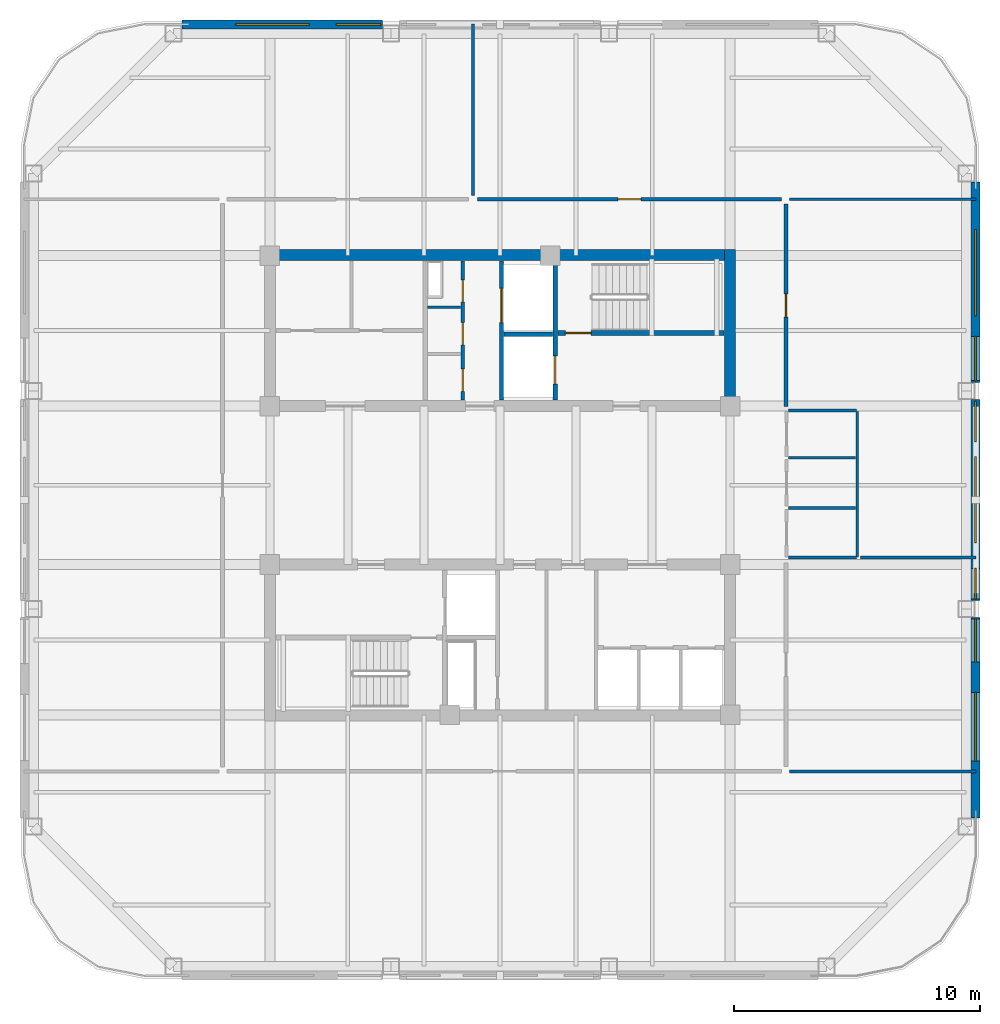
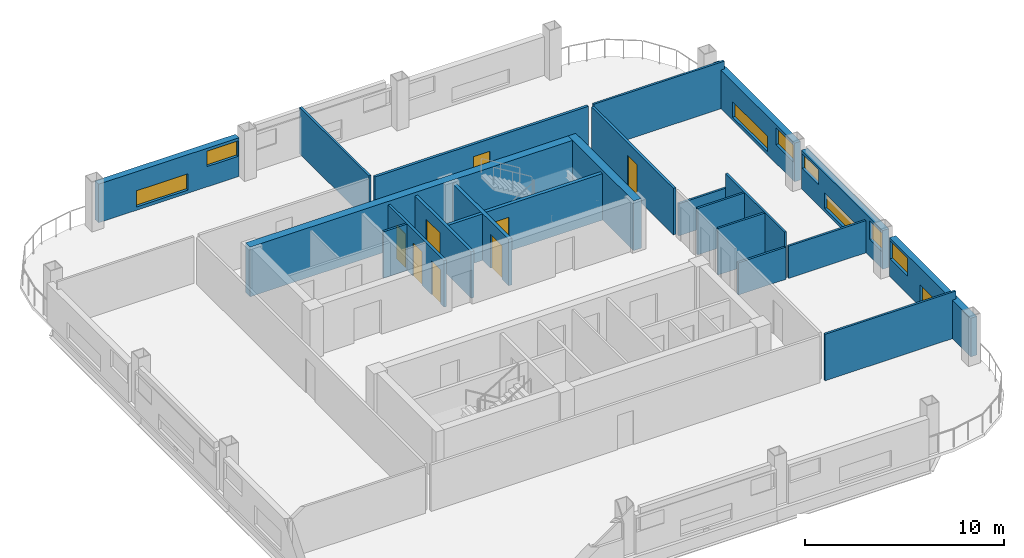
# One storey, part 4 of 8: 23 walls, 9 windows, 8 doors, 17 openings.
"""IFC4 building model written with IfcOpenShell, lengths in metres."""

from ifc_helpers import new_model, si_unit, direction, frame, frame_2d, origin, place, context, subcontext, project, spatial, rectangle, extrude, material, layer, layer_set, type_object, element, fill, save


model = new_model("IFC4")

# Units and contexts
model_context = context("Model", 3, precision=1e-05, world=origin(), true_north=direction((0.0, 1.0)))
body_context = subcontext(model_context, "Body", "Model", "MODEL_VIEW")
ifc_project = project(units=[si_unit("LENGTHUNIT", "METRE"), si_unit("AREAUNIT", "SQUARE_METRE"), si_unit("VOLUMEUNIT", "CUBIC_METRE"), si_unit("PLANEANGLEUNIT", "RADIAN"), si_unit("MASSUNIT", "GRAM", prefix="KILO")], contexts=[model_context])

# Site, building, storey
site_placement = place(None, origin())
site = spatial("IfcSite", under=ifc_project, at=site_placement, CompositionType="ELEMENT")
building_placement = place(site_placement, origin())
building = spatial("IfcBuilding", under=site, at=building_placement, Name="Qhalaya Broadcast Tower", CompositionType="ELEMENT")
storey_placement = place(building_placement, frame((0.0, 0.0, 202.550048828125)))
storey = spatial("IfcBuildingStorey", under=building, at=storey_placement, Name="L59", CompositionType="ELEMENT", Elevation=202.550048828125)

# Wall, openings, doors
ifc_material_1 = material(Name="Gypsum Acoustic Partition")
ifc_layer_1 = layer(ifc_material_1, 0.14990234375, Name="Gypsum Acoustic Partition")
ifc_layer_set_1 = layer_set([ifc_layer_1], Name="Gypsum Acoustic Partition")
wall_type_1 = type_object("IfcWallType", Name="Corridor & Tenancy Acoustic Partition 150", PredefinedType="PARTITIONING", material=ifc_layer_set_1)
wall_1_placement = place(storey_placement, frame((-1.52001953125, 4.070068359375, 0.0), z_axis=(0.0, 0.0, 1.0), x_axis=(0.0, 1.0, 0.0)))
wall_1 = element("IfcWall", 1, at=wall_1_placement, inside=storey, type_object=wall_type_1, Name="L59 Partition Wall NCW-SVL", PredefinedType="PARTITIONING", context=body_context, shape_type="SweptSolid", body=[
    extrude(rectangle(XDim=5.659912109375, YDim=0.14990234375, at=frame_2d((2.830078125, 0.0))), origin(), (0.0, 0.0, 1.0), 2.85986328125),
])
opening_1_placement = place(wall_1_placement, frame((4.0, 0.0, 0.0)))
opening_1 = element("IfcOpeningElement", 2, at=opening_1_placement, cuts=wall_1, Name="Opening D06", PredefinedType="OPENING", context=body_context, shape_type="SweptSolid", body=[
    extrude(rectangle(XDim=0.89990234375, YDim=2.050048828125, at=frame_2d((0.449951171875, 1.02490234375))), frame((0.0, 0.0869140625, 0.0), z_axis=(0.0, -1.0, 0.0), x_axis=(1.0, 0.0, 0.0)), (0.0, 0.0, 1.0), 0.173828125),
])
opening_2_placement = place(wall_1_placement, frame((2.25, 0.0, 0.0)))
opening_2 = element("IfcOpeningElement", 3, at=opening_2_placement, cuts=wall_1, Name="Opening D06", PredefinedType="OPENING", context=body_context, shape_type="SweptSolid", body=[
    extrude(rectangle(XDim=0.89990234375, YDim=2.050048828125, at=frame_2d((0.449951171875, 1.02490234375))), frame((0.0, 0.0869140625, 0.0), z_axis=(0.0, -1.0, 0.0), x_axis=(1.0, 0.0, 0.0)), (0.0, 0.0, 1.0), 0.173828125),
])
opening_3_placement = place(wall_1_placement, frame((0.35009765625, 0.0, 0.0)))
opening_3 = element("IfcOpeningElement", 4, at=opening_3_placement, cuts=wall_1, Name="Opening D12", PredefinedType="OPENING", context=body_context, shape_type="SweptSolid", body=[
    extrude(rectangle(XDim=0.919921875, YDim=2.10009765625, at=frame_2d((0.4599609375, 1.050048828125))), frame((0.0, 0.0869140625, 0.0), z_axis=(0.0, -1.0, 0.0), x_axis=(1.0, 0.0, 0.0)), (0.0, 0.0, 1.0), 0.173828125),
])
ifc_material_2 = material(Name="Timber Veneer Acoustic Door", Category="wood")
door_type_1 = type_object("IfcDoorType", Name="Accessible WC & Restroom Door D12", OperationType="NOTDEFINED", PredefinedType="DOOR", material=ifc_material_2)
door_1_placement = place(opening_3_placement, origin())
door_1 = element("IfcDoor", 5, at=door_1_placement, inside=storey, type_object=door_type_1, Name="L59 Door D-NCWC", OperationType="SINGLE_SWING_RIGHT", OverallHeight=2.10009765625, OverallWidth=0.919921875, PredefinedType="DOOR", context=body_context, shape_type="SweptSolid", body=[
    extrude(rectangle(XDim=0.919921875, YDim=2.10009765625, at=frame_2d((0.4599609375, 1.050048828125))), frame((0.0, 0.02490234375, 0.0), z_axis=(0.0, -1.0, 0.0), x_axis=(1.0, 0.0, 0.0)), (0.0, 0.0, 1.0), 0.050048828125),
])
fill(opening_3, door_1)
ifc_material_3 = material(Name="Fire-Rated Steel Door", Category="steel")
door_type_2 = type_object("IfcDoorType", Name="Riser & Electrical Shaft Access Door D06", OperationType="NOTDEFINED", PredefinedType="DOOR", material=ifc_material_3)
door_2_placement = place(opening_1_placement, origin())
door_2 = element("IfcDoor", 6, at=door_2_placement, inside=storey, type_object=door_type_2, Name="L59 Riser Shaft Access Door D-NRSR", OperationType="SINGLE_SWING_RIGHT", OverallHeight=2.050048828125, OverallWidth=0.89990234375, PredefinedType="DOOR", context=body_context, shape_type="SweptSolid", body=[
    extrude(rectangle(XDim=0.89990234375, YDim=2.050048828125, at=frame_2d((0.449951171875, 1.02490234375))), frame((0.0, 0.02490234375, 0.0), z_axis=(0.0, -1.0, 0.0), x_axis=(1.0, 0.0, 0.0)), (0.0, 0.0, 1.0), 0.050048828125),
])
fill(opening_1, door_2)
door_3_placement = place(opening_2_placement, origin())
door_3 = element("IfcDoor", 7, at=door_3_placement, inside=storey, type_object=door_type_2, Name="L59 Door D-NITR", OperationType="SINGLE_SWING_LEFT", OverallHeight=2.050048828125, OverallWidth=0.89990234375, PredefinedType="DOOR", context=body_context, shape_type="SweptSolid", body=[
    extrude(rectangle(XDim=0.89990234375, YDim=2.050048828125, at=frame_2d((0.449951171875, 1.02490234375))), frame((0.0, 0.02490234375, 0.0), z_axis=(0.0, -1.0, 0.0), x_axis=(1.0, 0.0, 0.0)), (0.0, 0.0, 1.0), 0.050048828125),
])
fill(opening_2, door_3)

# Wall, opening, door
wall_2_placement = place(storey_placement, frame((-0.919921875, 12.25, 0.0), z_axis=(0.0, 0.0, 1.0), x_axis=(1.0, 0.0, 0.0)))
wall_2 = element("IfcWall", 8, at=wall_2_placement, inside=storey, type_object=wall_type_1, Name="L59 Partition Wall W-COR-02", PredefinedType="PARTITIONING", context=body_context, shape_type="SweptSolid", body=[
    extrude(rectangle(XDim=12.389892578125, YDim=0.14990234375, at=frame_2d((6.19482421875, 0.0))), origin(), (0.0, 0.0, 1.0), 2.85986328125),
])
opening_4_placement = place(wall_2_placement, frame((5.719970703125, 0.0, 0.0)))
opening_4 = element("IfcOpeningElement", 9, at=opening_4_placement, cuts=wall_2, Name="Opening D10", PredefinedType="OPENING", context=body_context, shape_type="SweptSolid", body=[
    extrude(rectangle(XDim=0.949951171875, YDim=2.10009765625, at=frame_2d((0.47509765625, 1.050048828125))), frame((0.0, 0.0869140625, 0.0), z_axis=(0.0, -1.0, 0.0), x_axis=(1.0, 0.0, 0.0)), (0.0, 0.0, 1.0), 0.173828125),
])
door_type_3 = type_object("IfcDoorType", Name="Cellular Office & Edit Booth Door D10", OperationType="NOTDEFINED", PredefinedType="DOOR", material=ifc_material_2)
door_4_placement = place(opening_4_placement, origin())
door_4 = element("IfcDoor", 10, at=door_4_placement, inside=storey, type_object=door_type_3, Name="L59 Door D-RM02", OperationType="SINGLE_SWING_RIGHT", OverallHeight=2.10009765625, OverallWidth=0.949951171875, PredefinedType="DOOR", context=body_context, shape_type="SweptSolid", body=[
    extrude(rectangle(XDim=0.949951171875, YDim=2.10009765625, at=frame_2d((0.47509765625, 1.050048828125))), frame((0.0, 0.02490234375, 0.0), z_axis=(0.0, -1.0, 0.0), x_axis=(1.0, 0.0, 0.0)), (0.0, 0.0, 1.0), 0.050048828125),
])
fill(opening_4, door_4)

wall_3_placement = place(storey_placement, frame((11.64990234375, 3.800048828125, 0.0), z_axis=(0.0, 0.0, 1.0), x_axis=(0.0, 1.0, 0.0)))
wall_3 = element("IfcWall", 11, at=wall_3_placement, inside=storey, type_object=wall_type_1, Name="L59 Partition Wall W-COR-06", PredefinedType="PARTITIONING", context=body_context, shape_type="SweptSolid", body=[
    extrude(rectangle(XDim=8.25, YDim=0.14990234375, at=frame_2d((4.125, 0.0))), origin(), (0.0, 0.0, 1.0), 2.85986328125),
])
opening_5_placement = place(wall_3_placement, frame((3.64990234375, 0.0, 0.0)))
opening_5 = element("IfcOpeningElement", 12, at=opening_5_placement, cuts=wall_3, Name="Opening D10", PredefinedType="OPENING", context=body_context, shape_type="SweptSolid", body=[
    extrude(rectangle(XDim=0.949951171875, YDim=2.10009765625, at=frame_2d((0.47509765625, 1.050048828125))), frame((0.0, 0.0869140625, 0.0), z_axis=(0.0, -1.0, 0.0), x_axis=(1.0, 0.0, 0.0)), (0.0, 0.0, 1.0), 0.173828125),
])
door_5_placement = place(opening_5_placement, origin())
door_5 = element("IfcDoor", 13, at=door_5_placement, inside=storey, type_object=door_type_3, Name="L59 Door D-RM06", OperationType="SINGLE_SWING_RIGHT", OverallHeight=2.10009765625, OverallWidth=0.949951171875, PredefinedType="DOOR", context=body_context, shape_type="SweptSolid", body=[
    extrude(rectangle(XDim=0.949951171875, YDim=2.10009765625, at=frame_2d((0.47509765625, 1.050048828125))), frame((0.0, 0.02490234375, 0.0), z_axis=(0.0, -1.0, 0.0), x_axis=(1.0, 0.0, 0.0)), (0.0, 0.0, 1.0), 0.050048828125),
])
fill(opening_5, door_5)

# Wall, openings, windows
ifc_material_4 = material(Name="Precast Concrete C40/50", Category="concrete")
ifc_layer_2 = layer(ifc_material_4, 0.360107421875, Name="Precast Concrete C40/50")
ifc_layer_set_2 = layer_set([ifc_layer_2], Name="Precast Concrete C40/50")
wall_type_2 = type_object("IfcWallType", Name="Insulated Precast Terracotta Exterior Wall 360", PredefinedType="SOLIDWALL", material=ifc_layer_set_2)
wall_4_placement = place(storey_placement, frame((19.360107421875, 12.9619140625, 0.0), z_axis=(0.0, 0.0, 1.0), x_axis=(0.0, -1.0, 0.0)))
wall_4 = element("IfcWall", 14, at=wall_4_placement, inside=storey, type_object=wall_type_2, Name="L59 Exoskeleton Diagrid Infill Wall E1", PredefinedType="SOLIDWALL", context=body_context, shape_type="SweptSolid", body=[
    extrude(rectangle(XDim=8.1787109375, YDim=0.360107421875, at=frame_2d((4.08935546875, 0.0))), origin(), (0.0, 0.0, 1.0), 2.3740234375),
])
opening_6_placement = place(wall_4_placement, frame((1.949951171875, 0.0, 0.199951171875)))
opening_6 = element("IfcOpeningElement", 15, at=opening_6_placement, cuts=wall_4, Name="Opening W13", PredefinedType="OPENING", context=body_context, shape_type="SweptSolid", body=[
    extrude(rectangle(XDim=3.5, YDim=0.949951171875, at=frame_2d((1.75, 0.47509765625))), frame((0.0, 0.192138671875, 0.0), z_axis=(0.0, -1.0, 0.0), x_axis=(1.0, 0.0, 0.0)), (0.0, 0.0, 1.0), 0.384033203125),
])
opening_7_placement = place(wall_4_placement, frame((6.300048828125, 0.0, 1.14990234375)))
opening_7 = element("IfcOpeningElement", 16, at=opening_7_placement, cuts=wall_4, Name="Opening W13", PredefinedType="OPENING", context=body_context, shape_type="SweptSolid", body=[
    extrude(rectangle(XDim=1.800048828125, YDim=1.050048828125, at=frame_2d((0.89990234375, 0.52490234375))), frame((0.0, 0.192138671875, 0.0), z_axis=(0.0, -1.0, 0.0), x_axis=(1.0, 0.0, 0.0)), (0.0, 0.0, 1.0), 0.384033203125),
])
ifc_material_5 = material(Name="Solar-Control Low-E Triple Glazing", Category="glass")
window_type = type_object("IfcWindowType", Name="Upper-Block Diagrid Infill Window W13", PartitioningType="SINGLE_PANEL", PredefinedType="WINDOW", material=ifc_material_5)
window_1_placement = place(opening_6_placement, origin())
window_1 = element("IfcWindow", 17, at=window_1_placement, inside=storey, type_object=window_type, Name="L59 Diagrid Infill Window W13-E1", OverallHeight=0.949951171875, OverallWidth=3.5, PartitioningType="SINGLE_PANEL", PredefinedType="WINDOW", context=body_context, shape_type="SweptSolid", body=[
    extrude(rectangle(XDim=3.5, YDim=0.949951171875, at=frame_2d((1.75, 0.47509765625))), frame((0.0, 0.030029296875, 0.0), z_axis=(0.0, -1.0, 0.0), x_axis=(1.0, 0.0, 0.0)), (0.0, 0.0, 1.0), 0.06005859375),
])
fill(opening_6, window_1)
window_2_placement = place(opening_7_placement, origin())
window_2 = element("IfcWindow", 18, at=window_2_placement, inside=storey, type_object=window_type, Name="L59 Diagrid Infill Window W13-E2", OverallHeight=1.050048828125, OverallWidth=1.800048828125, PartitioningType="SINGLE_PANEL", PredefinedType="WINDOW", context=body_context, shape_type="SweptSolid", body=[
    extrude(rectangle(XDim=1.800048828125, YDim=1.050048828125, at=frame_2d((0.89990234375, 0.52490234375))), frame((0.0, 0.030029296875, 0.0), z_axis=(0.0, -1.0, 0.0), x_axis=(1.0, 0.0, 0.0)), (0.0, 0.0, 1.0), 0.06005859375),
])
fill(opening_7, window_2)

wall_5_placement = place(storey_placement, frame((19.360107421875, 4.083251953125, 0.0), z_axis=(0.0, 0.0, 1.0), x_axis=(0.0, -1.0, 0.0)))
wall_5 = element("IfcWall", 19, at=wall_5_placement, inside=storey, type_object=wall_type_2, Name="L59 Exoskeleton Diagrid Infill Wall E2", PredefinedType="SOLIDWALL", context=body_context, shape_type="SweptSolid", body=[
    extrude(rectangle(XDim=8.16650390625, YDim=0.360107421875, at=frame_2d((4.083251953125, 0.0))), origin(), (0.0, 0.0, 1.0), 2.3740234375),
])
opening_8_placement = place(wall_5_placement, frame((0.071044921875, 0.0, 1.300048828125)))
opening_8 = element("IfcOpeningElement", 20, at=opening_8_placement, cuts=wall_5, Name="Opening W13", PredefinedType="OPENING", context=body_context, shape_type="SweptSolid", body=[
    extrude(rectangle(XDim=1.64990234375, YDim=0.89990234375, at=frame_2d((0.824951171875, 0.449951171875))), frame((0.0, 0.192138671875, 0.0), z_axis=(0.0, -1.0, 0.0), x_axis=(1.0, 0.0, 0.0)), (0.0, 0.0, 1.0), 0.384033203125),
])
opening_9_placement = place(wall_5_placement, frame((2.321044921875, 0.0, 0.199951171875)))
opening_9 = element("IfcOpeningElement", 21, at=opening_9_placement, cuts=wall_5, Name="Opening W13", PredefinedType="OPENING", context=body_context, shape_type="SweptSolid", body=[
    extrude(rectangle(XDim=3.5, YDim=0.949951171875, at=frame_2d((1.75, 0.47509765625))), frame((0.0, 0.192138671875, 0.0), z_axis=(0.0, -1.0, 0.0), x_axis=(1.0, 0.0, 0.0)), (0.0, 0.0, 1.0), 0.384033203125),
])
opening_10_placement = place(wall_5_placement, frame((6.87109375, 0.0, 1.050048828125)))
opening_10 = element("IfcOpeningElement", 22, at=opening_10_placement, cuts=wall_5, Name="Opening W13", PredefinedType="OPENING", context=body_context, shape_type="SweptSolid", body=[
    extrude(rectangle(XDim=1.25, YDim=1.14990234375, at=frame_2d((0.625, 0.574951171875))), frame((0.0, 0.192138671875, 0.0), z_axis=(0.0, -1.0, 0.0), x_axis=(1.0, 0.0, 0.0)), (0.0, 0.0, 1.0), 0.384033203125),
])
window_3_placement = place(opening_8_placement, origin())
window_3 = element("IfcWindow", 23, at=window_3_placement, inside=storey, type_object=window_type, Name="L59 Diagrid Infill Window W13-E3", OverallHeight=0.89990234375, OverallWidth=1.64990234375, PartitioningType="SINGLE_PANEL", PredefinedType="WINDOW", context=body_context, shape_type="SweptSolid", body=[
    extrude(rectangle(XDim=1.64990234375, YDim=0.89990234375, at=frame_2d((0.824951171875, 0.449951171875))), frame((0.0, 0.030029296875, 0.0), z_axis=(0.0, -1.0, 0.0), x_axis=(1.0, 0.0, 0.0)), (0.0, 0.0, 1.0), 0.06005859375),
])
fill(opening_8, window_3)
window_4_placement = place(opening_9_placement, origin())
window_4 = element("IfcWindow", 24, at=window_4_placement, inside=storey, type_object=window_type, Name="L59 Diagrid Infill Window W13-E4", OverallHeight=0.949951171875, OverallWidth=3.5, PartitioningType="SINGLE_PANEL", PredefinedType="WINDOW", context=body_context, shape_type="SweptSolid", body=[
    extrude(rectangle(XDim=3.5, YDim=0.949951171875, at=frame_2d((1.75, 0.47509765625))), frame((0.0, 0.030029296875, 0.0), z_axis=(0.0, -1.0, 0.0), x_axis=(1.0, 0.0, 0.0)), (0.0, 0.0, 1.0), 0.06005859375),
])
fill(opening_9, window_4)
window_5_placement = place(opening_10_placement, origin())
window_5 = element("IfcWindow", 25, at=window_5_placement, inside=storey, type_object=window_type, Name="L59 Diagrid Infill Window W13-E5", OverallHeight=1.14990234375, OverallWidth=1.25, PartitioningType="SINGLE_PANEL", PredefinedType="WINDOW", context=body_context, shape_type="SweptSolid", body=[
    extrude(rectangle(XDim=1.25, YDim=1.14990234375, at=frame_2d((0.625, 0.574951171875))), frame((0.0, 0.030029296875, 0.0), z_axis=(0.0, -1.0, 0.0), x_axis=(1.0, 0.0, 0.0)), (0.0, 0.0, 1.0), 0.06005859375),
])
fill(opening_10, window_5)

wall_6_placement = place(storey_placement, frame((19.360107421875, -4.783203125, 0.0), z_axis=(0.0, 0.0, 1.0), x_axis=(0.0, -1.0, 0.0)))
wall_6 = element("IfcWall", 26, at=wall_6_placement, inside=storey, type_object=wall_type_2, Name="L59 Exoskeleton Diagrid Infill Wall E3", PredefinedType="SOLIDWALL", context=body_context, shape_type="SweptSolid", body=[
    extrude(rectangle(XDim=8.1787109375, YDim=0.360107421875, at=frame_2d((4.08935546875, 0.0))), origin(), (0.0, 0.0, 1.0), 2.3740234375),
])
opening_11_placement = place(wall_6_placement, frame((0.054931640625, 0.0, 1.10009765625)))
opening_11 = element("IfcOpeningElement", 27, at=opening_11_placement, cuts=wall_6, Name="Opening W13", PredefinedType="OPENING", context=body_context, shape_type="SweptSolid", body=[
    extrude(rectangle(XDim=1.75, YDim=1.10009765625, at=frame_2d((0.875, 0.550048828125))), frame((0.0, 0.192138671875, 0.0), z_axis=(0.0, -1.0, 0.0), x_axis=(1.0, 0.0, 0.0)), (0.0, 0.0, 1.0), 0.384033203125),
])
opening_12_placement = place(wall_6_placement, frame((3.054931640625, 0.0, 0.199951171875)))
opening_12 = element("IfcOpeningElement", 28, at=opening_12_placement, cuts=wall_6, Name="Opening W13", PredefinedType="OPENING", context=body_context, shape_type="SweptSolid", body=[
    extrude(rectangle(XDim=2.800048828125, YDim=1.14990234375, at=frame_2d((1.39990234375, 0.574951171875))), frame((0.0, 0.192138671875, 0.0), z_axis=(0.0, -1.0, 0.0), x_axis=(1.0, 0.0, 0.0)), (0.0, 0.0, 1.0), 0.384033203125),
])
window_6_placement = place(opening_11_placement, origin())
window_6 = element("IfcWindow", 29, at=window_6_placement, inside=storey, type_object=window_type, Name="L59 Diagrid Infill Window W13-E6", OverallHeight=1.10009765625, OverallWidth=1.75, PartitioningType="SINGLE_PANEL", PredefinedType="WINDOW", context=body_context, shape_type="SweptSolid", body=[
    extrude(rectangle(XDim=1.75, YDim=1.10009765625, at=frame_2d((0.875, 0.550048828125))), frame((0.0, 0.030029296875, 0.0), z_axis=(0.0, -1.0, 0.0), x_axis=(1.0, 0.0, 0.0)), (0.0, 0.0, 1.0), 0.06005859375),
])
fill(opening_11, window_6)
window_7_placement = place(opening_12_placement, origin())
window_7 = element("IfcWindow", 30, at=window_7_placement, inside=storey, type_object=window_type, Name="L59 Diagrid Infill Window W13-E7", OverallHeight=1.14990234375, OverallWidth=2.800048828125, PartitioningType="SINGLE_PANEL", PredefinedType="WINDOW", context=body_context, shape_type="SweptSolid", body=[
    extrude(rectangle(XDim=2.800048828125, YDim=1.14990234375, at=frame_2d((1.39990234375, 0.574951171875))), frame((0.0, 0.030029296875, 0.0), z_axis=(0.0, -1.0, 0.0), x_axis=(1.0, 0.0, 0.0)), (0.0, 0.0, 1.0), 0.06005859375),
])
fill(opening_12, window_7)

wall_7_placement = place(storey_placement, frame((-12.9619140625, 19.360107421875, 0.0), z_axis=(0.0, 0.0, 1.0), x_axis=(1.0, 0.0, 0.0)))
wall_7 = element("IfcWall", 31, at=wall_7_placement, inside=storey, type_object=wall_type_2, Name="L59 Exoskeleton Diagrid Infill Wall N1", PredefinedType="SOLIDWALL", context=body_context, shape_type="SweptSolid", body=[
    extrude(rectangle(XDim=8.1787109375, YDim=0.360107421875, at=frame_2d((4.08935546875, 0.0))), origin(), (0.0, 0.0, 1.0), 2.3740234375),
])
opening_13_placement = place(wall_7_placement, frame((2.199951171875, 0.0, 0.199951171875)))
opening_13 = element("IfcOpeningElement", 32, at=opening_13_placement, cuts=wall_7, Name="Opening W13", PredefinedType="OPENING", context=body_context, shape_type="SweptSolid", body=[
    extrude(rectangle(XDim=3.0, YDim=1.0, at=frame_2d((1.5, 0.5))), frame((0.0, 0.192138671875, 0.0), z_axis=(0.0, -1.0, 0.0), x_axis=(1.0, 0.0, 0.0)), (0.0, 0.0, 1.0), 0.384033203125),
])
opening_14_placement = place(wall_7_placement, frame((6.300048828125, 0.0, 1.25)))
opening_14 = element("IfcOpeningElement", 33, at=opening_14_placement, cuts=wall_7, Name="Opening W13", PredefinedType="OPENING", context=body_context, shape_type="SweptSolid", body=[
    extrude(rectangle(XDim=1.800048828125, YDim=0.949951171875, at=frame_2d((0.89990234375, 0.47509765625))), frame((0.0, 0.192138671875, 0.0), z_axis=(0.0, -1.0, 0.0), x_axis=(1.0, 0.0, 0.0)), (0.0, 0.0, 1.0), 0.384033203125),
])
window_8_placement = place(opening_13_placement, origin())
window_8 = element("IfcWindow", 34, at=window_8_placement, inside=storey, type_object=window_type, Name="L59 Diagrid Infill Window W13-N1", OverallHeight=1.0, OverallWidth=3.0, PartitioningType="SINGLE_PANEL", PredefinedType="WINDOW", context=body_context, shape_type="SweptSolid", body=[
    extrude(rectangle(XDim=3.0, YDim=1.0, at=frame_2d((1.5, 0.5))), frame((0.0, 0.030029296875, 0.0), z_axis=(0.0, -1.0, 0.0), x_axis=(1.0, 0.0, 0.0)), (0.0, 0.0, 1.0), 0.06005859375),
])
fill(opening_13, window_8)
window_9_placement = place(opening_14_placement, origin())
window_9 = element("IfcWindow", 35, at=window_9_placement, inside=storey, type_object=window_type, Name="L59 Diagrid Infill Window W13-N2", OverallHeight=0.949951171875, OverallWidth=1.800048828125, PartitioningType="SINGLE_PANEL", PredefinedType="WINDOW", context=body_context, shape_type="SweptSolid", body=[
    extrude(rectangle(XDim=1.800048828125, YDim=0.949951171875, at=frame_2d((0.89990234375, 0.47509765625))), frame((0.0, 0.030029296875, 0.0), z_axis=(0.0, -1.0, 0.0), x_axis=(1.0, 0.0, 0.0)), (0.0, 0.0, 1.0), 0.06005859375),
])
fill(opening_14, window_9)

# Wall, opening, door
ifc_material_6 = material(Name="Concrete C50/60", Category="concrete")
ifc_layer_3 = layer(ifc_material_6, 0.199951171875, Name="Concrete C50/60")
ifc_layer_set_3 = layer_set([ifc_layer_3], Name="Concrete C50/60")
wall_type_3 = type_object("IfcWallType", Name="Load-Bearing Stair Shaft Wall 200", PredefinedType="SHEAR", material=ifc_layer_set_3)
wall_8_placement = place(storey_placement, frame((2.360107421875, 6.804931640625, 0.0), z_axis=(0.0, 0.0, 1.0), x_axis=(1.0, 0.0, 0.0)))
wall_8 = element("IfcWall", 36, at=wall_8_placement, inside=storey, type_object=wall_type_3, Name="L59 Stair Core Shear Wall NCW-ST1", PredefinedType="SHEAR", context=body_context, shape_type="SweptSolid", body=[
    extrude(rectangle(XDim=6.769775390625, YDim=0.199951171875, at=frame_2d((3.384765625, 0.0))), origin(), (0.0, 0.0, 1.0), 2.85986328125),
])
opening_15_placement = place(wall_8_placement, frame((0.300048828125, 0.0, 0.0)))
opening_15 = element("IfcOpeningElement", 37, at=opening_15_placement, cuts=wall_8, Name="Opening D03", PredefinedType="OPENING", context=body_context, shape_type="SweptSolid", body=[
    extrude(rectangle(XDim=1.050048828125, YDim=2.080078125, at=frame_2d((0.52490234375, 1.0400390625))), frame((0.0, 0.112060546875, 0.0), z_axis=(0.0, -1.0, 0.0), x_axis=(1.0, 0.0, 0.0)), (0.0, 0.0, 1.0), 0.223876953125),
])
door_type_4 = type_object("IfcDoorType", Name="Core Stair Protected Fire Door D03", OperationType="NOTDEFINED", PredefinedType="DOOR", material=ifc_material_3)
door_6_placement = place(opening_15_placement, origin())
door_6 = element("IfcDoor", 38, at=door_6_placement, inside=storey, type_object=door_type_4, Name="L59 Door D-NST1", OperationType="SINGLE_SWING_LEFT", OverallHeight=2.080078125, OverallWidth=1.050048828125, PredefinedType="DOOR", context=body_context, shape_type="SweptSolid", body=[
    extrude(rectangle(XDim=1.050048828125, YDim=2.080078125, at=frame_2d((0.52490234375, 1.0400390625))), frame((0.0, 0.02490234375, 0.0), z_axis=(0.0, -1.0, 0.0), x_axis=(1.0, 0.0, 0.0)), (0.0, 0.0, 1.0), 0.050048828125),
])
fill(opening_15, door_6)

wall_9_placement = place(storey_placement, frame((2.25, 4.070068359375, 0.0), z_axis=(0.0, 0.0, 1.0), x_axis=(0.0, 1.0, 0.0)))
wall_9 = element("IfcWall", 39, at=wall_9_placement, inside=storey, type_object=wall_type_3, Name="L59 Stair Core Shear Wall NCW-FF", PredefinedType="SHEAR", context=body_context, shape_type="SweptSolid", body=[
    extrude(rectangle(XDim=5.659912109375, YDim=0.199951171875, at=frame_2d((2.830078125, 0.0))), origin(), (0.0, 0.0, 1.0), 2.85986328125),
])
opening_16_placement = place(wall_9_placement, frame((0.64990234375, 0.0, 0.0)))
opening_16 = element("IfcOpeningElement", 40, at=opening_16_placement, cuts=wall_9, Name="Opening LD2", PredefinedType="OPENING", context=body_context, shape_type="SweptSolid", body=[
    extrude(rectangle(XDim=1.14990234375, YDim=2.080078125, at=frame_2d((0.574951171875, 1.0400390625))), frame((0.0, 0.112060546875, 0.0), z_axis=(0.0, -1.0, 0.0), x_axis=(1.0, 0.0, 0.0)), (0.0, 0.0, 1.0), 0.223876953125),
])
ifc_material_7 = material(Name="Brushed Stainless Steel Lift Door", Category="steel")
door_type_5 = type_object("IfcDoorType", Name="Firefighting Lift Sliding Landing Door LD2", OperationType="DOUBLE_DOOR_SLIDING", PredefinedType="DOOR", material=ifc_material_7)
door_7_placement = place(opening_16_placement, origin())
door_7 = element("IfcDoor", 41, at=door_7_placement, inside=storey, type_object=door_type_5, Name="L59 Door LD-FF1", OperationType="DOUBLE_DOOR_SLIDING", OverallHeight=2.080078125, OverallWidth=1.14990234375, PredefinedType="DOOR", context=body_context, shape_type="SweptSolid", body=[
    extrude(rectangle(XDim=1.14990234375, YDim=2.080078125, at=frame_2d((0.574951171875, 1.0400390625))), frame((0.0, 0.02490234375, 0.0), z_axis=(0.0, -1.0, 0.0), x_axis=(1.0, 0.0, 0.0)), (0.0, 0.0, 1.0), 0.050048828125),
])
fill(opening_16, door_7)

# Walls
ifc_layer_4 = layer(ifc_material_1, 0.1201171875, Name="Gypsum Acoustic Partition")
ifc_layer_set_4 = layer_set([ifc_layer_4], Name="Gypsum Acoustic Partition")
wall_type_4 = type_object("IfcWallType", Name="Office, Booth & Sanitary Partition 120", PredefinedType="PARTITIONING", material=ifc_layer_set_4)
wall_10_placement = place(storey_placement, frame((-2.9599609375, 7.85009765625, 0.0), z_axis=(0.0, 0.0, 1.0), x_axis=(1.0, 0.0, 0.0)))
element("IfcWall", 42, at=wall_10_placement, inside=storey, type_object=wall_type_4, Name="L59 Partition Wall NCW-VB2", PredefinedType="PARTITIONING", context=body_context, shape_type="SweptSolid", body=[
    extrude(rectangle(XDim=1.35986328125, YDim=0.1201171875, at=frame_2d((0.679931640625, 0.0))), origin(), (0.0, 0.0, 1.0), 2.85986328125),
])
wall_11_placement = place(storey_placement, frame((14.550048828125, -2.320068359375, 0.0), z_axis=(0.0, 0.0, 1.0), x_axis=(0.0, 1.0, 0.0)))
element("IfcWall", 43, at=wall_11_placement, inside=storey, type_object=wall_type_4, Name="L59 Partition Wall W-WCE", PredefinedType="PARTITIONING", context=body_context, shape_type="SweptSolid", body=[
    extrude(rectangle(XDim=5.93017578125, YDim=0.1201171875, at=frame_2d((2.965087890625, 0.0))), origin(), (0.0, 0.0, 1.0), 2.85986328125),
])
for number, where, z_axis, x_axis, name in (
    (44, (11.760009765625, -2.35009765625, 0.0), (0.0, 0.0, 1.0), (1.0, 0.0, 0.0), "L59 Partition Wall W-WCS"),
    (45, (11.760009765625, 3.639892578125, 0.0), (0.0, 0.0, 1.0), (1.0, 0.0, 0.0), "L59 Partition Wall W-WCN"),
):
    element("IfcWall", number, at=place(storey_placement, frame(where, z_axis=z_axis, x_axis=x_axis)), inside=storey, type_object=wall_type_4, Name=name, PredefinedType="PARTITIONING", context=body_context, shape_type="SweptSolid", body=[
        extrude(rectangle(XDim=2.760009765625, YDim=0.1201171875, at=frame_2d((1.3798828125, 0.0))), origin(), (0.0, 0.0, 1.0), 1.98095703125),
    ])
for number, where, z_axis, x_axis, name in (
    (46, (11.760009765625, -0.320068359375, 0.0), (0.0, 0.0, 1.0), (1.0, 0.0, 0.0), "L59 Partition Wall W-WCD1"),
    (47, (11.760009765625, 1.719970703125, 0.0), (0.0, 0.0, 1.0), (1.0, 0.0, 0.0), "L59 Partition Wall W-WCD2"),
):
    element("IfcWall", number, at=place(storey_placement, frame(where, z_axis=z_axis, x_axis=x_axis)), inside=storey, type_object=wall_type_4, Name=name, PredefinedType="PARTITIONING", context=body_context, shape_type="SweptSolid", body=[
        extrude(rectangle(XDim=2.719970703125, YDim=0.1201171875, at=frame_2d((1.35986328125, 0.0))), origin(), (0.0, 0.0, 1.0), 2.85986328125),
    ])
for number, where, z_axis, x_axis, name in (
    (48, (11.7900390625, 12.25, 0.0), (0.0, 0.0, 1.0), (1.0, 0.0, 0.0), "L59 Partition Wall W-BNDE1"),
    (49, (11.7900390625, -11.050048828125, 0.0), (0.0, 0.0, 1.0), (1.0, 0.0, 0.0), "L59 Partition Wall W-BNDE2"),
):
    element("IfcWall", number, at=place(storey_placement, frame(where, z_axis=z_axis, x_axis=x_axis)), inside=storey, type_object=wall_type_4, Name=name, PredefinedType="PARTITIONING", context=body_context, shape_type="SweptSolid", body=[
        extrude(rectangle(XDim=7.58984375, YDim=0.1201171875, at=frame_2d((3.794921875, 0.0))), origin(), (0.0, 0.0, 1.0), 2.85986328125),
    ])
wall_12_placement = place(storey_placement, frame((-1.10009765625, 12.409912109375, 0.0), z_axis=(0.0, 0.0, 1.0), x_axis=(0.0, 1.0, 0.0)))
element("IfcWall", 50, at=wall_12_placement, inside=storey, type_object=wall_type_4, Name="L59 Partition Wall W-DIVN1", PredefinedType="PARTITIONING", context=body_context, shape_type="SweptSolid", body=[
    extrude(rectangle(XDim=6.969970703125, YDim=0.1201171875, at=frame_2d((3.48486328125, 0.0))), origin(), (0.0, 0.0, 1.0), 2.85986328125),
])
wall_13_placement = place(storey_placement, frame((14.68994140625, -2.35009765625, 0.0), z_axis=(0.0, 0.0, 1.0), x_axis=(1.0, 0.0, 0.0)))
element("IfcWall", 51, at=wall_13_placement, inside=storey, type_object=wall_type_4, Name="L59 Partition Wall W-DIVE-WC", PredefinedType="PARTITIONING", context=body_context, shape_type="SweptSolid", body=[
    extrude(rectangle(XDim=4.68994140625, YDim=0.1201171875, at=frame_2d((2.344970703125, 0.0))), origin(), (0.0, 0.0, 1.0), 1.98095703125),
])

# Wall, opening, door
ifc_layer_5 = layer(ifc_material_1, 0.175048828125, Name="Gypsum Acoustic Partition")
ifc_layer_set_5 = layer_set([ifc_layer_5], Name="Gypsum Acoustic Partition")
wall_type_5 = type_object("IfcWallType", Name="Shaft & Riser Fire Partition 175", PredefinedType="PARTITIONING", material=ifc_layer_set_5)
wall_14_placement = place(storey_placement, frame((0.06005859375, 4.070068359375, 0.0), z_axis=(0.0, 0.0, 1.0), x_axis=(0.0, 1.0, 0.0)))
wall_14 = element("IfcWall", 52, at=wall_14_placement, inside=storey, type_object=wall_type_5, Name="L59 Partition Wall NCW-SVW", PredefinedType="PARTITIONING", context=body_context, shape_type="SweptSolid", body=[
    extrude(rectangle(XDim=5.659912109375, YDim=0.175048828125, at=frame_2d((2.830078125, 0.0))), origin(), (0.0, 0.0, 1.0), 2.85986328125),
])
opening_17_placement = place(wall_14_placement, frame((3.14990234375, 0.0, 0.0)))
opening_17 = element("IfcOpeningElement", 53, at=opening_17_placement, cuts=wall_14, Name="Opening LD3", PredefinedType="OPENING", context=body_context, shape_type="SweptSolid", body=[
    extrude(rectangle(XDim=1.39990234375, YDim=2.1201171875, at=frame_2d((0.699951171875, 1.06005859375))), frame((0.0, 0.099609375, 0.0), z_axis=(0.0, -1.0, 0.0), x_axis=(1.0, 0.0, 0.0)), (0.0, 0.0, 1.0), 0.198974609375),
])
door_type_6 = type_object("IfcDoorType", Name="Service Lift Wide Sliding Landing Door LD3", OperationType="DOUBLE_DOOR_SLIDING", PredefinedType="DOOR", material=ifc_material_7)
door_8_placement = place(opening_17_placement, origin())
door_8 = element("IfcDoor", 54, at=door_8_placement, inside=storey, type_object=door_type_6, Name="L59 Door LD-SV1", OperationType="DOUBLE_DOOR_SLIDING", OverallHeight=2.1201171875, OverallWidth=1.39990234375, PredefinedType="DOOR", context=body_context, shape_type="SweptSolid", body=[
    extrude(rectangle(XDim=1.39990234375, YDim=2.1201171875, at=frame_2d((0.699951171875, 1.06005859375))), frame((0.0, 0.02490234375, 0.0), z_axis=(0.0, -1.0, 0.0), x_axis=(1.0, 0.0, 0.0)), (0.0, 0.0, 1.0), 0.050048828125),
])
fill(opening_17, door_8)

# Walls
wall_15_placement = place(storey_placement, frame((0.159912109375, 6.75, 0.0), z_axis=(0.0, 0.0, 1.0), x_axis=(1.0, 0.0, 0.0)))
element("IfcWall", 55, at=wall_15_placement, inside=storey, type_object=wall_type_5, Name="L59 Partition Wall NCW-SVM", PredefinedType="PARTITIONING", context=body_context, shape_type="SweptSolid", body=[
    extrude(rectangle(XDim=1.97998046875, YDim=0.175048828125, at=frame_2d((0.989990234375, 0.0))), origin(), (0.0, 0.0, 1.0), 2.85986328125),
])
ifc_layer_6 = layer(ifc_material_6, 0.449951171875, Name="Concrete C50/60")
ifc_layer_set_6 = layer_set([ifc_layer_6], Name="Concrete C50/60")
wall_type_6 = type_object("IfcWallType", Name="Upper Split-Core Shear Wall 450", PredefinedType="SHEAR", material=ifc_layer_set_6)
wall_16_placement = place(storey_placement, frame((-9.60009765625, 9.97509765625, 0.0), z_axis=(0.0, 0.0, 1.0), x_axis=(1.0, 0.0, 0.0)))
element("IfcWall", 56, at=wall_16_placement, inside=storey, type_object=wall_type_6, Name="L59 Split-Core Shear Wall CW-NN", PredefinedType="SHEAR", context=body_context, shape_type="SweptSolid", body=[
    extrude(rectangle(XDim=19.2001953125, YDim=0.449951171875, at=frame_2d((9.60009765625, 0.0))), origin(), (0.0, 0.0, 1.0), 3.050048828125),
])
wall_17_placement = place(storey_placement, frame((9.375, 3.60009765625, 0.0), z_axis=(0.0, 0.0, 1.0), x_axis=(0.0, 1.0, 0.0)))
element("IfcWall", 57, at=wall_17_placement, inside=storey, type_object=wall_type_6, Name="L59 Split-Core Shear Wall CW-NE", PredefinedType="SHEAR", context=body_context, shape_type="SweptSolid", body=[
    extrude(rectangle(XDim=6.599853515625, YDim=0.449951171875, at=frame_2d((3.2998046875, 0.0))), origin(), (0.0, 0.0, 1.0), 3.050048828125),
])

save(model, "model.ifc")
